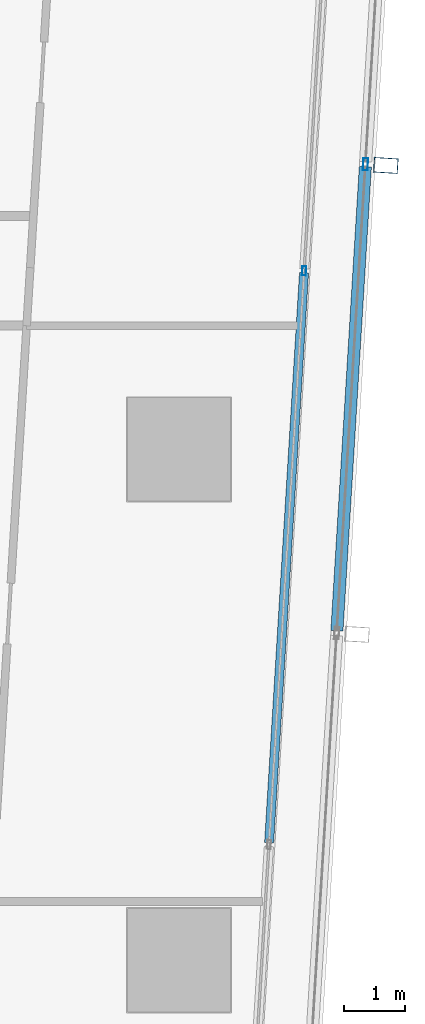
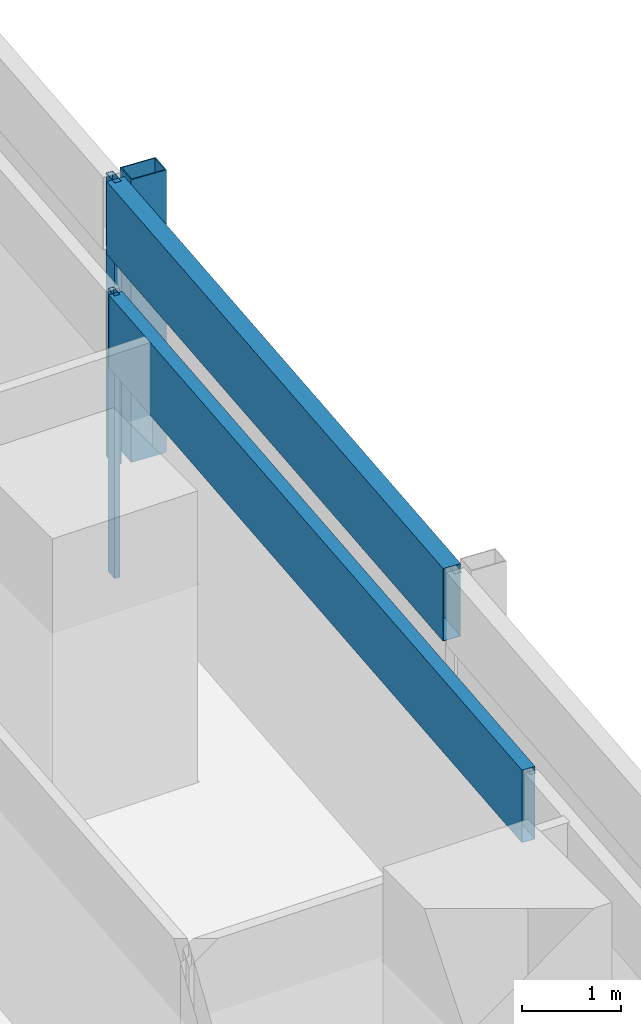
# One storey, part 24 of 40: 5 members, 2 elements without a shape of their own.
"""IFC4 building model written with IfcOpenShell, lengths in metres."""

from ifc_helpers import new_model, si_unit, direction, frame, origin, origin_2d, place, context, subcontext, project, spatial, hollow_rectangle, extrude, material, material_profile, profile_set, type_object, element, aggregate, save


model = new_model("IFC4")

# Units and contexts
model_context = context("Model", 3, precision=1e-05, world=origin(), true_north=direction((0.0, 1.0)))
body_context = subcontext(model_context, "Body", "Model", "MODEL_VIEW")
ifc_project = project(units=[si_unit("LENGTHUNIT", "METRE"), si_unit("AREAUNIT", "SQUARE_METRE"), si_unit("VOLUMEUNIT", "CUBIC_METRE"), si_unit("PLANEANGLEUNIT", "RADIAN"), si_unit("MASSUNIT", "GRAM", prefix="KILO")], contexts=[model_context])

# Site, building, storey
site_placement = place(None, origin())
site = spatial("IfcSite", under=ifc_project, at=site_placement, CompositionType="ELEMENT")
building_placement = place(site_placement, origin())
building = spatial("IfcBuilding", under=site, at=building_placement, Name="Rekha Terrace Tower", CompositionType="ELEMENT")
storey_placement = place(building_placement, frame((0.0, 0.0, 106.550048828125)))
storey = spatial("IfcBuildingStorey", under=building, at=storey_placement, Name="L26", CompositionType="ELEMENT", Elevation=106.550048828125)

# Curtain wall, member
ifc_material_1 = material(Name="Aluminium framing", Category="aluminium")
curtain_wall_type_1 = type_object("IfcCurtainWallType", Name="CW2 double skin outer glazing", PredefinedType="USERDEFINED", material=ifc_material_1)
curtain_wall_1_placement = place(storey_placement, origin())
curtain_wall_1 = element("IfcCurtainWall", 1, at=curtain_wall_1_placement, inside=storey, type_object=curtain_wall_type_1, Name="CW2 double skin outer glazing", ObjectType="DOUBLE SKIN OUTER GLAZING", PredefinedType="USERDEFINED")
ifc_material_2 = material(Name="Steel S355 with fluorocarbon finish", Category="steel")
ifc_material_profile_1 = material_profile(ifc_material_2, hollow_rectangle(XDim=0.25, YDim=0.39990234375, WallThickness=0.012451171875, at=origin_2d()), Name="RHS400x250x12.5")
ifc_profile_set_1 = profile_set([ifc_material_profile_1], Name="Steel S355 with fluorocarbon finish")
member_type_1 = type_object("IfcMemberType", Name="BL1 facade blade RHS 400 x 250", PredefinedType="USERDEFINED", material=ifc_profile_set_1)
member_1_placement = place(storey_placement, frame((70.601318359375, 38.27001953125, 0.0), z_axis=(0.0, 0.0, 1.0), x_axis=(0.061160031881, 0.998127973008, 0.0)))
member_1 = element("IfcMember", 2, at=member_1_placement, type_object=member_type_1, Name="Facade blade", ObjectType="FACADE BLADE", PredefinedType="USERDEFINED", context=body_context, shape_type="SweptSolid", body=[
    extrude(hollow_rectangle(XDim=0.25, YDim=0.39990234375, WallThickness=0.012451171875, at=origin_2d()), origin(), (0.0, 0.0, 1.0), 3.5),
])

# Curtain wall, members
curtain_wall_type_2 = type_object("IfcCurtainWallType", Name="CW1 double skin inner glazing", PredefinedType="USERDEFINED", material=ifc_material_1)
curtain_wall_2_placement = place(storey_placement, origin())
curtain_wall_2 = element("IfcCurtainWall", 3, at=curtain_wall_2_placement, inside=storey, type_object=curtain_wall_type_2, Name="CW1 double skin inner glazing", ObjectType="DOUBLE SKIN INNER GLAZING", PredefinedType="USERDEFINED")
ifc_material_3 = material(Name="Aluminium mullion section", Category="aluminium")
ifc_material_profile_2 = material_profile(ifc_material_3, hollow_rectangle(XDim=0.06494140625, YDim=0.14990234375, WallThickness=0.00390625, at=origin_2d()), Name="AL RHS 65x150")
ifc_profile_set_2 = profile_set([ifc_material_profile_2], Name="Aluminium mullion section")
member_type_2 = type_object("IfcMemberType", Name="CW1 mullion RHS 65 x 150", PredefinedType="MULLION", material=ifc_profile_set_2)
member_2_placement = place(storey_placement, frame((69.257568359375, 36.53662109375, 0.0), z_axis=(0.0, 0.0, 1.0), x_axis=(-0.998127987024, 0.061159803131, 0.0)))
member_2 = element("IfcMember", 4, at=member_2_placement, type_object=member_type_2, Name="CW1 mullion 3", PredefinedType="MULLION", context=body_context, shape_type="SweptSolid", body=[
    extrude(hollow_rectangle(XDim=0.06494140625, YDim=0.14990234375, WallThickness=0.00390625, at=origin_2d()), origin(), (0.0, 0.0, 1.0), 3.5),
])
ifc_material_4 = material(Name="Insulated aluminium spandrel box", Category="aluminium")
ifc_material_profile_3 = material_profile(ifc_material_4, hollow_rectangle(XDim=0.14990234375, YDim=0.89990234375, WallThickness=0.0029296875, at=origin_2d()), Name="AL SPANDREL BOX 150x900")
ifc_profile_set_3 = profile_set([ifc_material_profile_3], Name="Insulated aluminium spandrel box")
member_type_3 = type_object("IfcMemberType", Name="CW1 spandrel transom 150 x 900", PredefinedType="USERDEFINED", material=ifc_profile_set_3)
member_3_placement = place(storey_placement, frame((68.681640625, 27.13427734375, 3.050048828125), z_axis=(0.061141260248, 0.998129123057, 0.0), x_axis=(-0.998129123057, 0.061141260248, 0.0)))
member_3 = element("IfcMember", 5, at=member_3_placement, type_object=member_type_3, Name="CW1 spandrel transom 2", ObjectType="TRANSOM", PredefinedType="USERDEFINED", context=body_context, shape_type="SweptSolid", body=[
    extrude(hollow_rectangle(XDim=0.14990234375, YDim=0.89990234375, WallThickness=0.0029296875, at=origin_2d()), origin(), (0.0, 0.0, 1.0), 9.3876953125),
])
aggregate(curtain_wall_2, [member_2, member_3])

# Member
ifc_material_profile_4 = material_profile(ifc_material_3, hollow_rectangle(XDim=0.080078125, YDim=0.199951171875, WallThickness=0.00390625, at=origin_2d()), Name="AL RHS 80x200")
ifc_profile_set_4 = profile_set([ifc_material_profile_4], Name="Aluminium mullion section")
member_type_4 = type_object("IfcMemberType", Name="CW2 mullion RHS 80 x 200", PredefinedType="MULLION", material=ifc_profile_set_4)
member_4_placement = place(storey_placement, frame((70.266845703125, 38.29052734375, 0.0), z_axis=(0.0, 0.0, 1.0), x_axis=(-0.998127987024, 0.061159803131, 0.0)))
member_4 = element("IfcMember", 6, at=member_4_placement, type_object=member_type_4, Name="CW2 mullion 4", PredefinedType="MULLION", context=body_context, shape_type="SweptSolid", body=[
    extrude(hollow_rectangle(XDim=0.080078125, YDim=0.199951171875, WallThickness=0.00390625, at=origin_2d()), origin(), (0.0, 0.0, 1.0), 3.5),
])

ifc_material_profile_5 = material_profile(ifc_material_4, hollow_rectangle(XDim=0.199951171875, YDim=0.89990234375, WallThickness=0.0029296875, at=origin_2d()), Name="AL SPANDREL BOX 200x900")
ifc_profile_set_5 = profile_set([ifc_material_profile_5], Name="Insulated aluminium spandrel box")
member_type_5 = type_object("IfcMemberType", Name="CW2 spandrel transom 200 x 900", PredefinedType="USERDEFINED", material=ifc_profile_set_5)
member_5_placement = place(storey_placement, frame((69.796630859375, 30.618408203125, 3.050048828125), z_axis=(0.061175629852, 0.998127017124, 0.0), x_axis=(-0.998127017124, 0.061175629852, 0.0)))
member_5 = element("IfcMember", 7, at=member_5_placement, type_object=member_type_5, Name="CW2 spandrel transom 3", ObjectType="TRANSOM", PredefinedType="USERDEFINED", context=body_context, shape_type="SweptSolid", body=[
    extrude(hollow_rectangle(XDim=0.199951171875, YDim=0.89990234375, WallThickness=0.0029296875, at=origin_2d()), origin(), (0.0, 0.0, 1.0), 7.646484375),
])

aggregate(curtain_wall_1, [member_4, member_5, member_1])

save(model, "model.ifc")
